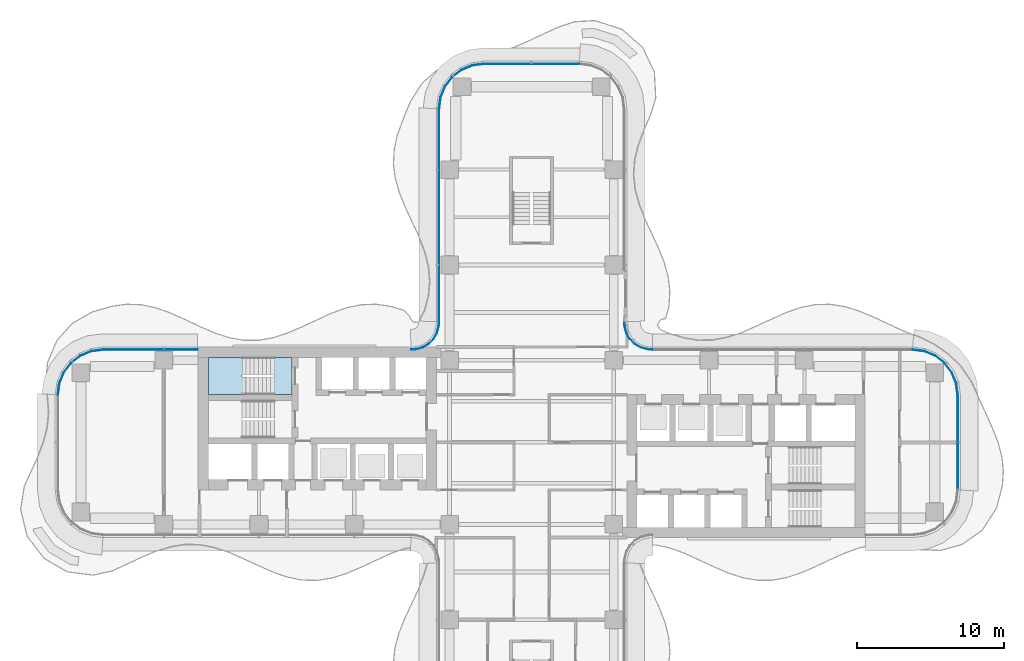
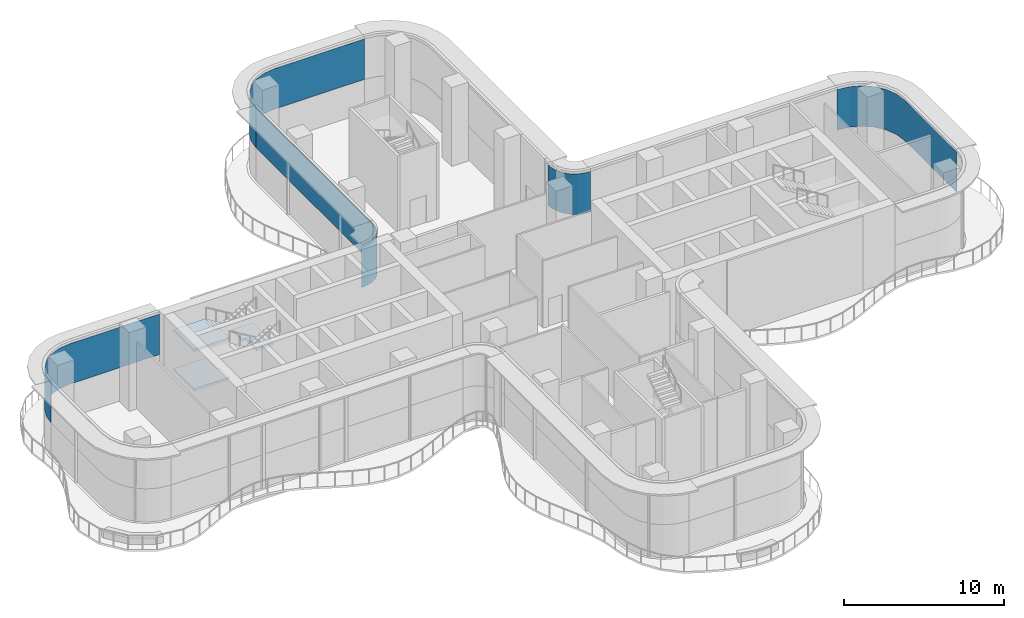
# One storey, part 10 of 19: 6 plates, 3 slabs, 7 elements without a shape of their own.
"""IFC4 building model written with IfcOpenShell, lengths in metres."""

import ifcopenshell
import ifcopenshell.guid

model = None  # the IFC model being written
_history = None  # IfcOwnerHistory: only IFC2X3 demands one
_inside = {}  # id of a spatial element -> (the spatial element, [elements in it])
_under = {}  # id of a project, library or spatial element -> (it, [spatial elements below it])
_declared = {}  # id of a project -> (the project, [libraries it declares])
_typed = {}  # id of a type object -> (the type object, [elements of that type])
_made_of = {}  # id of a material, layer set ... -> (it, [elements and type objects made of it])


def new_model(schema):
    """Start an empty IFC model of exactly this schema.

    Asked for "IFC4X3", IfcOpenShell would pick the latest addendum, in which some entities
    have other attributes; the version numbers below select the first issue.
    IFC2X3 requires an IfcOwnerHistory on every rooted entity: one is made here for all.
    """
    global model, _history
    if schema == "IFC4X3":
        model = ifcopenshell.file(schema_version=(4, 3, 0, 0))
    else:
        model = ifcopenshell.file(schema=schema)
    _inside.clear()
    _under.clear()
    _declared.clear()
    _typed.clear()
    _made_of.clear()
    _history = None
    if model.schema == "IFC2X3":
        org = make("IfcOrganization", Name="unknown")
        user = make(
            "IfcPersonAndOrganization",
            ThePerson=make("IfcPerson", FamilyName="unknown"),
            TheOrganization=org,
        )
        app = make(
            "IfcApplication",
            ApplicationDeveloper=org,
            Version="unknown",
            ApplicationFullName="unknown",
            ApplicationIdentifier="unknown",
        )
        _history = make(
            "IfcOwnerHistory",
            OwningUser=user,
            OwningApplication=app,
            ChangeAction="ADDED",
            CreationDate=0,
        )
    return model


def make(cls, **values):
    """One entity of the class cls with the attributes given. An attribute that is None is left unset."""
    return model.create_entity(
        cls, **{name: value for name, value in values.items() if value is not None}
    )


def rooted(cls, **values):
    """An entity with a GlobalId (a new one), such as an element, a storey or a relation."""
    return make(cls, GlobalId=ifcopenshell.guid.new(), OwnerHistory=_history, **values)


def si_unit(unit_type, name, prefix=None):
    """IfcSIUnit, for example si_unit("LENGTHUNIT", "METRE", prefix="MILLI")."""
    return make("IfcSIUnit", UnitType=unit_type, Prefix=prefix, Name=name)


def assignment(units):
    """IfcUnitAssignment: the units of a project."""
    return None if units is None else make("IfcUnitAssignment", Units=units)


def point(xyz):
    """IfcCartesianPoint."""
    return None if xyz is None else make("IfcCartesianPoint", Coordinates=xyz)


def direction(xyz):
    """IfcDirection."""
    return None if xyz is None else make("IfcDirection", DirectionRatios=xyz)


def frame(location, z_axis=None, x_axis=None):
    """IfcAxis2Placement3D, a coordinate frame: its origin and axes. An axis left out is left unset."""
    return make(
        "IfcAxis2Placement3D",
        Location=point(location),
        Axis=direction(z_axis),
        RefDirection=direction(x_axis),
    )


def origin():
    """The frame at (0, 0, 0) with its axes left unset."""
    return frame((0.0, 0.0, 0.0))


def place(relative_to, where):
    """IfcLocalPlacement: puts the frame where relative to a parent placement (None: the world)."""
    return make(
        "IfcLocalPlacement", PlacementRelTo=relative_to, RelativePlacement=where
    )


def context(
    kind, dimensions, precision=None, world=None, true_north=None, identifier=None
):
    """IfcGeometricRepresentationContext, for example the 3D "Model" context."""
    return make(
        "IfcGeometricRepresentationContext",
        ContextIdentifier=identifier,
        ContextType=kind,
        CoordinateSpaceDimension=dimensions,
        Precision=precision,
        WorldCoordinateSystem=world,
        TrueNorth=true_north,
    )


def subcontext(parent, identifier, kind, view, scale=None):
    """IfcGeometricRepresentationSubContext, for example "Body" below "Model"."""
    return make(
        "IfcGeometricRepresentationSubContext",
        ContextIdentifier=identifier,
        ContextType=kind,
        ParentContext=parent,
        TargetScale=scale,
        TargetView=view,
    )


def project(units=None, contexts=None):
    """IfcProject with its units and contexts."""
    return rooted(
        "IfcProject",
        Name="project",
        RepresentationContexts=contexts,
        UnitsInContext=assignment(units),
    )


def spatial(cls, under=None, at=None, **own):
    """A site, building, storey or space (cls), placed at a placement, below another one or the project."""
    s = rooted(cls, ObjectPlacement=at, **own)
    if under is not None:
        _under.setdefault(under.id(), (under, []))[1].append(s)
    return s


def polyline(points):
    """IfcPolyline through the points."""
    return make("IfcPolyline", Points=[point(p) for p in points])


def outline(outer, holes=None, kind="AREA"):
    """IfcArbitraryClosedProfileDef: a profile drawn as a closed curve; with holes, ...WithVoids."""
    if holes is None:
        return make("IfcArbitraryClosedProfileDef", ProfileType=kind, OuterCurve=outer)
    return make(
        "IfcArbitraryProfileDefWithVoids",
        ProfileType=kind,
        OuterCurve=outer,
        InnerCurves=holes,
    )


def extrude(swept, where, along, depth):
    """IfcExtrudedAreaSolid: the profile swept, set in the frame where, extruded along a direction by depth."""
    return make(
        "IfcExtrudedAreaSolid",
        SweptArea=swept,
        Position=where,
        ExtrudedDirection=direction(along),
        Depth=depth,
    )


def shape(context_of_items, identifier, shape_type, items):
    """IfcShapeRepresentation: the items that make up one representation, for example the "Body"."""
    return make(
        "IfcShapeRepresentation",
        ContextOfItems=context_of_items,
        RepresentationIdentifier=identifier,
        RepresentationType=shape_type,
        Items=items,
    )


def source(mapping_origin, context_of_items, identifier, shape_type, items):
    """IfcRepresentationMap: a shape defined once, which mapped items show again and again."""
    return make(
        "IfcRepresentationMap",
        MappingOrigin=mapping_origin,
        MappedRepresentation=shape(context_of_items, identifier, shape_type, items),
    )


def transform(
    local_origin,
    x_axis=None,
    y_axis=None,
    z_axis=None,
    scale=None,
    scale2=None,
    scale3=None,
    uniform=True,
):
    """IfcCartesianTransformationOperator3D, or its non-uniform kind. x_axis, y_axis, z_axis: its Axis1, 2, 3."""
    if uniform:
        return make(
            "IfcCartesianTransformationOperator3D",
            Axis1=direction(x_axis),
            Axis2=direction(y_axis),
            LocalOrigin=point(local_origin),
            Scale=scale,
            Axis3=direction(z_axis),
        )
    return make(
        "IfcCartesianTransformationOperator3DnonUniform",
        Axis1=direction(x_axis),
        Axis2=direction(y_axis),
        LocalOrigin=point(local_origin),
        Scale=scale,
        Axis3=direction(z_axis),
        Scale2=scale2,
        Scale3=scale3,
    )


def mapped(mapping_source, mapping_target):
    """IfcMappedItem: shows the shape of a source again, moved by a transform."""
    return make(
        "IfcMappedItem", MappingSource=mapping_source, MappingTarget=mapping_target
    )


def material(Name=None, Category=None):
    """IfcMaterial."""
    return make("IfcMaterial", Name=Name, Category=Category)


def layer(
    of_material, thickness, ventilated=None, Name=None, Category=None, Priority=None
):
    """IfcMaterialLayer: one layer of a wall or slab, of a material (None: an air gap)."""
    return make(
        "IfcMaterialLayer",
        Material=of_material,
        LayerThickness=thickness,
        IsVentilated=ventilated,
        Name=Name,
        Category=Category,
        Priority=Priority,
    )


def layer_set(layers, Name=None):
    """IfcMaterialLayerSet."""
    return make("IfcMaterialLayerSet", MaterialLayers=layers, LayerSetName=Name)


def made_of(thing, what):
    """Note that an element or type object is made of a material, layer set ...; save() writes the relation."""
    if what is not None:
        _made_of.setdefault(what.id(), (what, []))[1].append(thing)
    return thing


def type_object(cls, material=None, **own):
    """A type object (cls), such as IfcWallType, which elements share."""
    return made_of(rooted(cls, **own), material)


def element(
    cls,
    number,
    at=None,
    inside=None,
    cuts=None,
    type_object=None,
    material=None,
    context=None,
    identifier="Body",
    shape_type=None,
    held_by="IfcProductDefinitionShape",
    body=None,
    shapes=None,
    **own,
):
    """One element of the class cls, such as IfcWall. Its Tag is "e" and its number.

    at: its placement. inside: the storey or other place that contains it. cuts: it is an
    opening in that element (IfcRelVoidsElement). A single representation is given by context,
    identifier, shape_type and body (its items); several are given by shapes. held_by: the class
    of the entity that holds the representations. save() writes the other relations.
    """
    e = rooted(cls, Tag="e%d" % number, ObjectPlacement=at, **own)
    if body is not None:
        shapes = [shape(context, identifier, shape_type, body)]
    if shapes is not None:
        e.Representation = make(held_by, Representations=shapes)
    if inside is not None:
        _inside.setdefault(inside.id(), (inside, []))[1].append(e)
    if cuts is not None:
        rooted(
            "IfcRelVoidsElement", RelatingBuildingElement=cuts, RelatedOpeningElement=e
        )
    if type_object is not None:
        _typed.setdefault(type_object.id(), (type_object, []))[1].append(e)
    return made_of(e, material)


def aggregate(whole, parts):
    """IfcRelAggregates: a whole, such as a stair, and the parts it consists of."""
    return rooted("IfcRelAggregates", RelatingObject=whole, RelatedObjects=parts)


def save(model, path):
    """Write the relations noted so far, then the file.

    IfcRelAggregates (storeys below a building ...), IfcRelContainedInSpatialStructure (elements
    in a storey), IfcRelDefinesByType, IfcRelAssociatesMaterial and IfcRelDeclares: one each for
    every whole, place, type object, material and project.
    """
    for whole, parts in _under.values():
        aggregate(whole, parts)
    for where, things in _inside.values():
        rooted(
            "IfcRelContainedInSpatialStructure",
            RelatedElements=things,
            RelatingStructure=where,
        )
    for kind, things in _typed.values():
        rooted("IfcRelDefinesByType", RelatedObjects=things, RelatingType=kind)
    for what, things in _made_of.values():
        rooted("IfcRelAssociatesMaterial", RelatedObjects=things, RelatingMaterial=what)
    for by, libraries in _declared.values():
        rooted("IfcRelDeclares", RelatingContext=by, RelatedDefinitions=libraries)
    model.write(path)


model = new_model("IFC4")

# Units and contexts
model_context = context("Model", 3, precision=1e-05, world=origin(), true_north=direction((0.0, 1.0)))
body_context = subcontext(model_context, "Body", "Model", "MODEL_VIEW")
ifc_project = project(units=[si_unit("LENGTHUNIT", "METRE"), si_unit("AREAUNIT", "SQUARE_METRE"), si_unit("VOLUMEUNIT", "CUBIC_METRE"), si_unit("PLANEANGLEUNIT", "RADIAN"), si_unit("MASSUNIT", "GRAM", prefix="KILO")], contexts=[model_context])

# Site, building, storey
site_placement = place(None, origin())
site = spatial("IfcSite", under=ifc_project, at=site_placement, CompositionType="ELEMENT")
building_placement = place(site_placement, origin())
building = spatial("IfcBuilding", under=site, at=building_placement, Name="Trellis Farm Tower", CompositionType="ELEMENT")
storey_placement = place(building_placement, frame((0.0, 0.0, 156.0)))
storey = spatial("IfcBuildingStorey", under=building, at=storey_placement, Name="L33", CompositionType="ELEMENT", Elevation=156.0)

# Curtain wall, plate
ifc_material_1 = material(Name="Aluminium and glass curtain wall", Category="aluminium")
ifc_layer_1 = layer(ifc_material_1, 0.196044921875)
ifc_layer_set_1 = layer_set([ifc_layer_1], Name="LOUVRED GLASS CURTAIN WALL CW6")
curtain_wall_type = type_object("IfcCurtainWallType", Name="LOUVRED GLASS CURTAIN WALL CW6", PredefinedType="NOTDEFINED", material=ifc_layer_set_1)
placement_1 = place(storey_placement, origin())
curtain_wall_1 = element("IfcCurtainWall", 1, at=placement_1, inside=storey, type_object=curtain_wall_type, Name="CW6 008", PredefinedType="NOTDEFINED")
ifc_material_2 = material(Name="Clear insulated glass", Category="glass")
ifc_layer_2 = layer(ifc_material_2, 0.035888671875)
ifc_layer_set_2 = layer_set([ifc_layer_2], Name="CW6 GLASS PANEL 36")
plate_type = type_object("IfcPlateType", Name="CW6 GLASS PANEL 36", PredefinedType="CURTAIN_PANEL", material=ifc_layer_set_2)
placement_2 = place(storey_placement, frame((0.0, 0.0, 2.52001953125)))
plate_1 = element("IfcPlate", 2, at=placement_2, type_object=plate_type, Name="PL6 008", PredefinedType="CURTAIN_PANEL", context=body_context, shape_type="SweptSolid", body=[
    extrude(outline(polyline([(29.090087890625, -3.239501953125), (29.090087890625, 3.239501953125), (28.9833984375, 4.04931640625), (28.6748046875, 4.794189453125), (28.18408203125, 5.43408203125), (27.544189453125, 5.9248046875), (26.79931640625, 6.2333984375), (25.989501953125, 6.340087890625), (25.987060546875, 6.303955078125), (26.7900390625, 6.1982421875), (27.526123046875, 5.893310546875), (28.158203125, 5.408203125), (28.643310546875, 4.776123046875), (28.9482421875, 4.0400390625), (29.053955078125, 3.237060546875), (29.053955078125, -3.237060546875), (29.090087890625, -3.239501953125)])), origin(), (0.0, 0.0, 1.0), 3.080078125),
])
aggregate(curtain_wall_1, [plate_1])

curtain_wall_2 = element("IfcCurtainWall", 3, at=placement_1, inside=storey, type_object=curtain_wall_type, Name="CW6 010", PredefinedType="NOTDEFINED")
plate_2 = element("IfcPlate", 4, at=placement_2, type_object=plate_type, Name="PL6 010", PredefinedType="CURTAIN_PANEL", context=body_context, shape_type="SweptSolid", body=[
    extrude(outline(polyline([(8.22607421875, 6.340087890625), (8.00390625, 6.3544921875), (7.88427734375, 6.370361328125), (7.44677734375, 6.487548828125), (7.046142578125, 6.718994140625), (6.718994140625, 7.046142578125), (6.487548828125, 7.44677734375), (6.370361328125, 7.88427734375), (6.3544921875, 8.00390625), (6.340087890625, 8.22607421875), (6.303955078125, 8.22509765625), (6.31884765625, 8.000244140625), (6.3349609375, 7.877197265625), (6.4541015625, 7.432861328125), (6.690185546875, 7.02392578125), (7.02392578125, 6.690185546875), (7.432861328125, 6.4541015625), (7.877197265625, 6.3349609375), (8.000244140625, 6.31884765625), (8.22509765625, 6.303955078125), (8.22607421875, 6.340087890625)])), origin(), (0.0, 0.0, 1.0), 3.080078125),
])
aggregate(curtain_wall_2, [plate_2])

curtain_wall_3 = element("IfcCurtainWall", 5, at=placement_1, inside=storey, type_object=curtain_wall_type, Name="CW6 013", PredefinedType="NOTDEFINED")
plate_3 = element("IfcPlate", 6, at=placement_2, type_object=plate_type, Name="PL6 013", PredefinedType="CURTAIN_PANEL", context=body_context, shape_type="SweptSolid", body=[
    extrude(outline(polyline([(3.239501953125, 25.840087890625), (-3.239501953125, 25.840087890625), (-4.04931640625, 25.7333984375), (-4.794189453125, 25.4248046875), (-5.43408203125, 24.93408203125), (-5.9248046875, 24.294189453125), (-6.2333984375, 23.54931640625), (-6.340087890625, 22.739501953125), (-6.303955078125, 22.737060546875), (-6.1982421875, 23.5400390625), (-5.893310546875, 24.276123046875), (-5.408203125, 24.908203125), (-4.776123046875, 25.393310546875), (-4.0400390625, 25.6982421875), (-3.237060546875, 25.803955078125), (3.237060546875, 25.803955078125), (3.239501953125, 25.840087890625)])), origin(), (0.0, 0.0, 1.0), 3.080078125),
])
aggregate(curtain_wall_3, [plate_3])

curtain_wall_4 = element("IfcCurtainWall", 7, at=placement_1, inside=storey, type_object=curtain_wall_type, Name="CW6 014", PredefinedType="NOTDEFINED")
plate_4 = element("IfcPlate", 8, at=placement_2, type_object=plate_type, Name="PL6 014", PredefinedType="CURTAIN_PANEL", context=body_context, shape_type="SweptSolid", body=[
    extrude(outline(polyline([(-6.340087890625, 22.739501953125), (-6.340087890625, 8.22607421875), (-6.303955078125, 8.22509765625), (-6.303955078125, 22.737060546875), (-6.340087890625, 22.739501953125)])), origin(), (0.0, 0.0, 1.0), 3.080078125),
])
aggregate(curtain_wall_4, [plate_4])

curtain_wall_5 = element("IfcCurtainWall", 9, at=placement_1, inside=storey, type_object=curtain_wall_type, Name="CW6 015", PredefinedType="NOTDEFINED")
plate_5 = element("IfcPlate", 10, at=placement_2, type_object=plate_type, Name="PL6 015", PredefinedType="CURTAIN_PANEL", context=body_context, shape_type="SweptSolid", body=[
    extrude(outline(polyline([(-6.340087890625, 8.22607421875), (-6.3544921875, 8.00390625), (-6.370361328125, 7.88427734375), (-6.487548828125, 7.44677734375), (-6.718994140625, 7.046142578125), (-7.046142578125, 6.718994140625), (-7.44677734375, 6.487548828125), (-7.88427734375, 6.370361328125), (-8.00390625, 6.3544921875), (-8.22607421875, 6.340087890625), (-8.22509765625, 6.303955078125), (-8.000244140625, 6.31884765625), (-7.877197265625, 6.3349609375), (-7.432861328125, 6.4541015625), (-7.02392578125, 6.690185546875), (-6.690185546875, 7.02392578125), (-6.4541015625, 7.432861328125), (-6.3349609375, 7.877197265625), (-6.31884765625, 8.000244140625), (-6.303955078125, 8.22509765625), (-6.340087890625, 8.22607421875)])), origin(), (0.0, 0.0, 1.0), 3.080078125),
])
aggregate(curtain_wall_5, [plate_5])

curtain_wall_6 = element("IfcCurtainWall", 11, at=placement_1, inside=storey, type_object=curtain_wall_type, Name="CW6 016", PredefinedType="NOTDEFINED")
plate_6 = element("IfcPlate", 12, at=placement_2, type_object=plate_type, Name="PL6 016", PredefinedType="CURTAIN_PANEL", context=body_context, shape_type="SweptSolid", body=[
    extrude(outline(polyline([(-22.780029296875, 6.340087890625), (-29.239501953125, 6.340087890625), (-30.04931640625, 6.2333984375), (-30.794189453125, 5.9248046875), (-31.43408203125, 5.43408203125), (-31.9248046875, 4.794189453125), (-32.2333984375, 4.04931640625), (-32.340087890625, 3.239501953125), (-32.303955078125, 3.237060546875), (-32.1982421875, 4.0400390625), (-31.893310546875, 4.776123046875), (-31.408203125, 5.408203125), (-30.776123046875, 5.893310546875), (-30.0400390625, 6.1982421875), (-29.237060546875, 6.303955078125), (-22.780029296875, 6.303955078125), (-22.780029296875, 6.340087890625)])), origin(), (0.0, 0.0, 1.0), 3.080078125),
])
aggregate(curtain_wall_6, [plate_6])

# Stair, slabs
ifc_material_3 = material(Name="Concrete C50/60", Category="concrete")
stair_type = type_object("IfcStairType", Name="CORE EXIT STAIR 36 RISERS 167 MM", PredefinedType="HALF_TURN_STAIR", material=ifc_material_3)
stair = element("IfcStair", 13, at=placement_1, inside=storey, type_object=stair_type, Name="Exit stair W1", PredefinedType="HALF_TURN_STAIR")
ifc_layer_3 = layer(ifc_material_3, 0.179931640625)
ifc_layer_set_3 = layer_set([ifc_layer_3], Name="CORE STAIR LANDING 180 CONCRETE C50/60")
slab_type = type_object("IfcSlabType", Name="CORE STAIR LANDING 180 CONCRETE C50/60", PredefinedType="LANDING", material=ifc_layer_set_3)
shared_shape_1 = source(origin(), body_context, "Body", "SweptSolid", [
    extrude(outline(polyline([(-19.49072265625, 4.449951171875), (-19.49072265625, 3.25), (-19.75, 3.25), (-22.050048828125, 3.25), (-22.050048828125, 5.800048828125), (-19.75, 5.800048828125), (-19.739990234375, 5.800048828125), (-19.739990234375, 4.60009765625), (-19.75, 4.60009765625), (-19.75, 4.449951171875), (-19.49072265625, 4.449951171875)])), origin(), (0.0, 0.0, 1.0), 0.179931640625),
])
slab_1_placement = place(storey_placement, frame((0.0, 0.0, 1.320068359375)))
slab_1 = element("IfcSlab", 14, at=slab_1_placement, type_object=slab_type, Name="STW1 landing 1", PredefinedType="LANDING", context=body_context, shape_type="MappedRepresentation", body=[
    mapped(shared_shape_1, transform((0.0, 0.0, 0.0))),
])
slab_2_placement = place(storey_placement, frame((0.0, 0.0, 4.320068359375)))
slab_2 = element("IfcSlab", 15, at=slab_2_placement, type_object=slab_type, Name="STW1 landing 3", PredefinedType="LANDING", context=body_context, shape_type="MappedRepresentation", body=[
    mapped(shared_shape_1, transform((0.0, 0.0, 0.0))),
])
shared_shape_2 = source(origin(), body_context, "Body", "SweptSolid", [
    extrude(outline(polyline([(-17.56005859375, 3.25), (-17.56005859375, 4.449951171875), (-17.550048828125, 4.449951171875), (-17.550048828125, 4.60009765625), (-17.809326171875, 4.60009765625), (-17.809326171875, 5.800048828125), (-17.550048828125, 5.800048828125), (-16.35009765625, 5.800048828125), (-16.35009765625, 3.25), (-17.550048828125, 3.25), (-17.56005859375, 3.25)])), origin(), (0.0, 0.0, 1.0), 0.179931640625),
])
slab_3_placement = place(storey_placement, frame((0.0, 0.0, 2.820068359375)))
slab_3 = element("IfcSlab", 16, at=slab_3_placement, type_object=slab_type, Name="STW1 landing 2", PredefinedType="LANDING", context=body_context, shape_type="MappedRepresentation", body=[
    mapped(shared_shape_2, transform((0.0, 0.0, 0.0))),
])
aggregate(stair, [slab_1, slab_3, slab_2])

save(model, "model.ifc")
